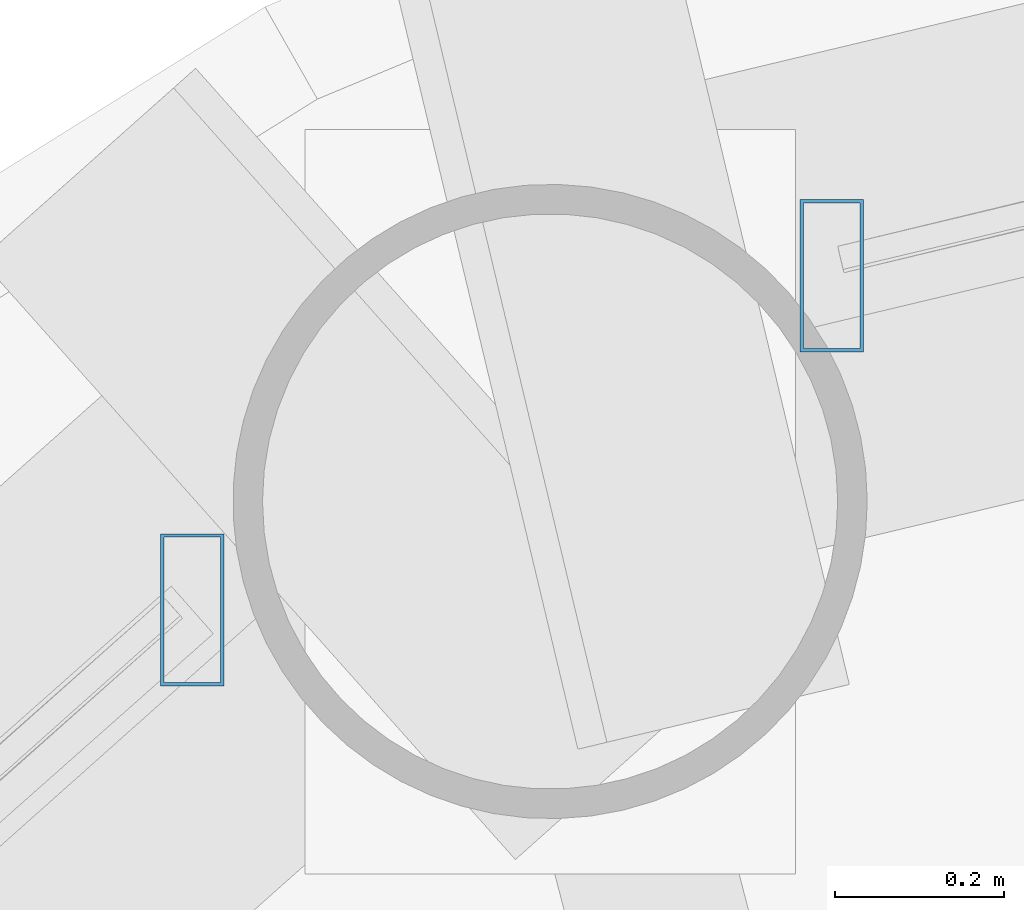
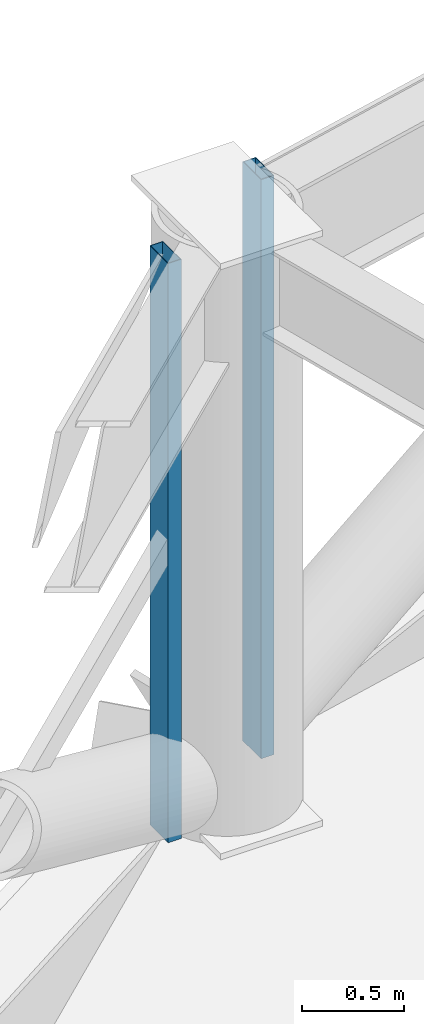
# One storey, part 15 of 32: 2 members, 2 elements without a shape of their own.
"""IFC4 building model written with IfcOpenShell, lengths in metres."""

from ifc_helpers import new_model, si_unit, direction, frame, origin, origin_2d, place, context, subcontext, project, spatial, hollow_rectangle, extrude, material, layer, layer_set, material_profile, profile_set, type_object, element, aggregate, save


model = new_model("IFC4")

# Units and contexts
model_context = context("Model", 3, precision=1e-05, world=origin(), true_north=direction((0.0, 1.0)))
body_context = subcontext(model_context, "Body", "Model", "MODEL_VIEW")
ifc_project = project(units=[si_unit("LENGTHUNIT", "METRE"), si_unit("AREAUNIT", "SQUARE_METRE"), si_unit("VOLUMEUNIT", "CUBIC_METRE"), si_unit("PLANEANGLEUNIT", "RADIAN"), si_unit("MASSUNIT", "GRAM", prefix="KILO")], contexts=[model_context])

# Site, building, storey
site_placement = place(None, origin())
site = spatial("IfcSite", under=ifc_project, at=site_placement, CompositionType="ELEMENT")
building_placement = place(site_placement, origin())
building = spatial("IfcBuilding", under=site, at=building_placement, Name="Vantalir Tower", CompositionType="ELEMENT")
storey_placement = place(building_placement, frame((0.0, 0.0, 104.699951171875)))
storey = spatial("IfcBuildingStorey", under=building, at=storey_placement, Name="L25", CompositionType="ELEMENT", Elevation=104.699951171875)

# Curtain wall, member
ifc_material_1 = material(Name="Champagne-silver PVDF aluminium and double-silver Low-E glass", Category="aluminium")
ifc_layer = layer(ifc_material_1, 0.199951171875)
ifc_layer_set = layer_set([ifc_layer], Name="Champagne-silver PVDF aluminium and double-silver Low-E glass")
curtain_wall_type = type_object("IfcCurtainWallType", Name="CW-DIAMOND-Z2", PredefinedType="USERDEFINED", material=ifc_layer_set)
curtain_wall_1_placement = place(storey_placement, origin())
curtain_wall_1 = element("IfcCurtainWall", 1, at=curtain_wall_1_placement, inside=storey, type_object=curtain_wall_type, Name="L25 Quilted Pyramid-Diamond Curtain Wall S04", ObjectType="UNITISED CURTAIN WALL", PredefinedType="USERDEFINED")
ifc_material_2 = material(Name="Champagne-silver PVDF aluminium 6063-T6", Category="aluminium")
ifc_material_profile = material_profile(ifc_material_2, hollow_rectangle(XDim=0.074951171875, YDim=0.179931640625, WallThickness=0.00390625, at=origin_2d()), Name="Champagne-silver PVDF aluminium 6063-T6")
ifc_profile_set = profile_set([ifc_material_profile], Name="Champagne-silver PVDF aluminium 6063-T6")
member_type = type_object("IfcMemberType", Name="CWM-180x75", PredefinedType="MULLION", material=ifc_profile_set)
member_1_placement = place(storey_placement, frame((19.0390625, 45.001953125, 0.045166015625), z_axis=(0.0, 0.0, 1.0), x_axis=(1.0, 0.0, 0.0)))
member_1 = element("IfcMember", 2, at=member_1_placement, type_object=member_type, Name="CW-L25-S04 Mullion 2", PredefinedType="MULLION", context=body_context, shape_type="SweptSolid", body=[
    extrude(hollow_rectangle(XDim=0.074951171875, YDim=0.179931640625, WallThickness=0.00390625, at=origin_2d()), origin(), (0.0, 0.0, 1.0), 3.47998046875),
])
aggregate(curtain_wall_1, [member_1])

curtain_wall_2_placement = place(storey_placement, origin())
curtain_wall_2 = element("IfcCurtainWall", 3, at=curtain_wall_2_placement, inside=storey, type_object=curtain_wall_type, Name="L25 Quilted Pyramid-Diamond Curtain Wall S05", ObjectType="UNITISED CURTAIN WALL", PredefinedType="USERDEFINED")
member_2_placement = place(storey_placement, frame((18.282958984375, 44.60693359375, 0.045166015625), z_axis=(0.0, 0.0, 1.0), x_axis=(1.0, 0.0, 0.0)))
member_2 = element("IfcMember", 4, at=member_2_placement, type_object=member_type, Name="CW-L25-S05 Mullion 1", PredefinedType="MULLION", context=body_context, shape_type="SweptSolid", body=[
    extrude(hollow_rectangle(XDim=0.074951171875, YDim=0.179931640625, WallThickness=0.00390625, at=origin_2d()), origin(), (0.0, 0.0, 1.0), 3.47998046875),
])
aggregate(curtain_wall_2, [member_2])

save(model, "model.ifc")
